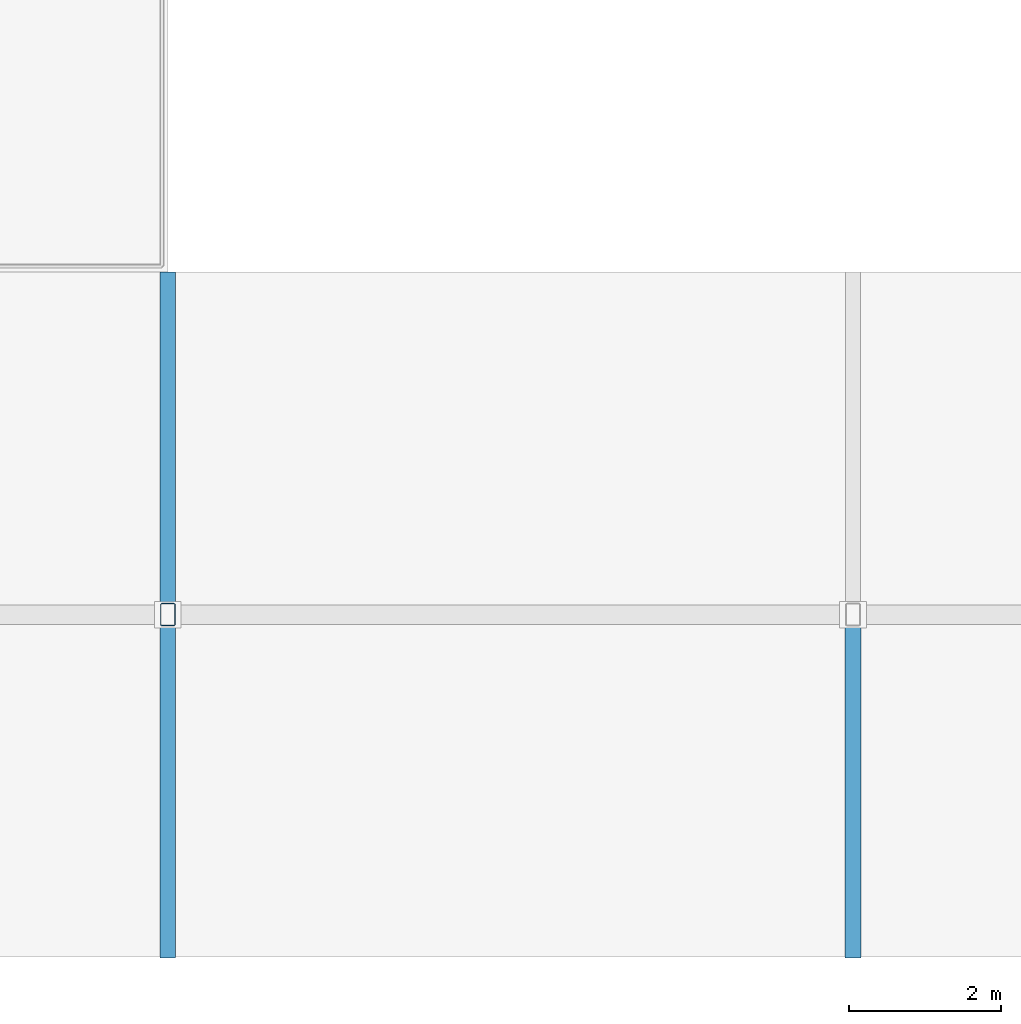
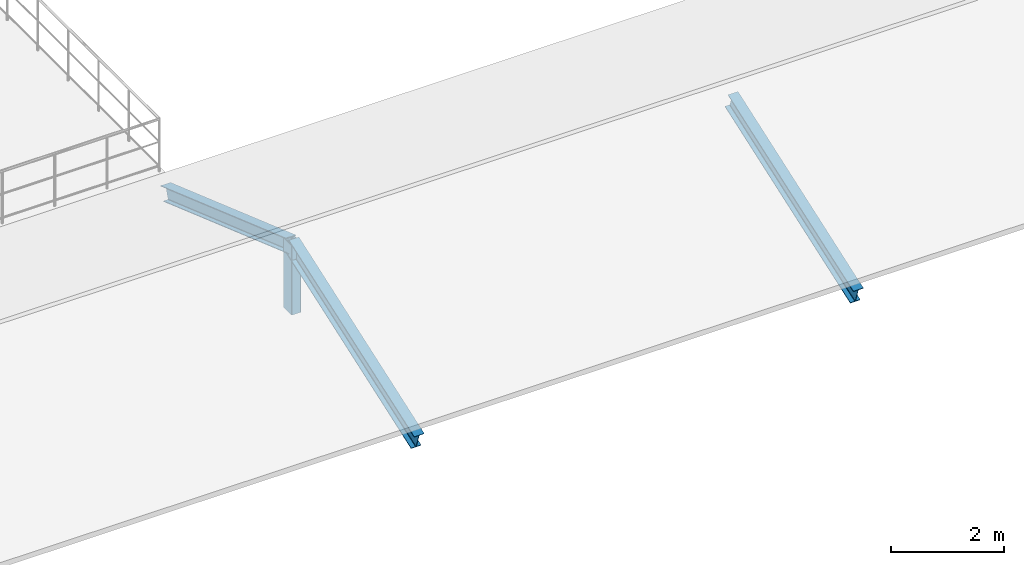
# One storey, part 39 of 110: 4 members.
"""IFC4 building model written with IfcOpenShell, lengths in metres."""

from ifc_helpers import new_model, si_unit, direction, frame, origin, origin_2d, place, context, subcontext, project, spatial, hollow_rectangle, i_section, extrude, material, material_profile, profile_set, type_object, element, save


model = new_model("IFC4")

# Units and contexts
model_context = context("Model", 3, precision=1e-05, world=origin(), true_north=direction((0.0, 1.0)))
body_context = subcontext(model_context, "Body", "Model", "MODEL_VIEW")
ifc_project = project(units=[si_unit("LENGTHUNIT", "METRE"), si_unit("AREAUNIT", "SQUARE_METRE"), si_unit("VOLUMEUNIT", "CUBIC_METRE"), si_unit("PLANEANGLEUNIT", "RADIAN"), si_unit("MASSUNIT", "GRAM", prefix="KILO")], contexts=[model_context])

# Site, building, storey
site_placement = place(None, origin())
site = spatial("IfcSite", under=ifc_project, at=site_placement, CompositionType="ELEMENT")
building_placement = place(site_placement, origin())
building = spatial("IfcBuilding", under=site, at=building_placement, Name="Miravela Opera House", CompositionType="ELEMENT")
storey_placement = place(building_placement, frame((0.0, 0.0, 13.60009765625)))
storey = spatial("IfcBuildingStorey", under=building, at=storey_placement, Name="L03", CompositionType="ELEMENT", Elevation=13.60009765625)

# Members
ifc_material_1 = material(Name="Hollow structural steel ASTM A500 Gr. C", Category="steel")
ifc_material_profile_1 = material_profile(ifc_material_1, hollow_rectangle(XDim=0.199951171875, YDim=0.300048828125, WallThickness=0.011962890625, InnerFilletRadius=0.011962890625, OuterFilletRadius=0.02392578125, at=origin_2d()), Name="HSS300X200X12")
ifc_profile_set_1 = profile_set([ifc_material_profile_1])
member_type_1 = type_object("IfcMemberType", Name="STR-MEM-POST-HSS300X200", PredefinedType="POST", material=ifc_profile_set_1)
member_1_placement = place(storey_placement, frame((117.0, 4.5, -0.25), z_axis=(0.0, 0.0, 1.0), x_axis=(1.0, 0.0, 0.0)))
element("IfcMember", 1, at=member_1_placement, inside=storey, type_object=member_type_1, Name="Roof Ridge Support Post ROOF-V4-SE M3", PredefinedType="POST", context=body_context, shape_type="SweptSolid", body=[
    extrude(hollow_rectangle(XDim=0.199951171875, YDim=0.300048828125, WallThickness=0.011962890625, InnerFilletRadius=0.011962890625, OuterFilletRadius=0.02392578125, at=origin_2d()), origin(), (0.0, 0.0, 1.0), 1.510009765625),
])
ifc_material_2 = material(Name="Structural steel ASTM A992 Gr. 50", Category="steel")
ifc_material_profile_2 = material_profile(ifc_material_2, i_section(OverallWidth=0.2041015625, OverallDepth=0.35009765625, WebThickness=0.008544921875, FlangeThickness=0.01513671875, FilletRadius=0.013916015625, at=origin_2d()), Name="W360X72")
ifc_profile_set_2 = profile_set([ifc_material_profile_2])
member_type_2 = type_object("IfcMemberType", Name="STR-MEM-RAFTER-1", PredefinedType="RAFTER", material=ifc_profile_set_2)
for number, where, z_axis, x_axis, name in (
    (2, (117.0, 0.050048828125, -0.400146484375), (0.0, 0.943687918104, 0.3308369889), (-1.0, 0.0, 0.0), "Pitched Roof Rafter ROOF-V4-SE S3"),
    (3, (126.0, 0.050048828125, -0.400146484375), (0.0, 0.943687918104, 0.3308369889), (-1.0, 0.0, 0.0), "Pitched Roof Rafter ROOF-V4-SE S4"),
):
    element("IfcMember", number, at=place(storey_placement, frame(where, z_axis=z_axis, x_axis=x_axis)), inside=storey, type_object=member_type_2, Name=name, PredefinedType="RAFTER", context=body_context, shape_type="SweptSolid", body=[
        extrude(i_section(OverallWidth=0.2041015625, OverallDepth=0.35009765625, WebThickness=0.008544921875, FlangeThickness=0.01513671875, FilletRadius=0.013916015625, at=origin_2d()), origin(), (0.0, 0.0, 1.0), 4.715576171875),
    ])
ifc_material_profile_3 = material_profile(ifc_material_2, i_section(OverallWidth=0.202880859375, OverallDepth=0.302978515625, WebThickness=0.007568359375, FlangeThickness=0.01318359375, FilletRadius=0.012939453125, at=origin_2d()), Name="W310X60")
ifc_profile_set_3 = profile_set([ifc_material_profile_3])
member_type_3 = type_object("IfcMemberType", Name="STR-MEM-RAFTER-2", PredefinedType="RAFTER", material=ifc_profile_set_3)
member_2_placement = place(storey_placement, frame((117.0, 8.949951171875, -0.400146484375), z_axis=(0.0, -0.943687918104, 0.3308369889), x_axis=(1.0, 0.0, 0.0)))
element("IfcMember", 4, at=member_2_placement, inside=storey, type_object=member_type_3, Name="Pitched Roof Rafter ROOF-V4-SE N3", PredefinedType="RAFTER", context=body_context, shape_type="SweptSolid", body=[
    extrude(i_section(OverallWidth=0.202880859375, OverallDepth=0.302978515625, WebThickness=0.007568359375, FlangeThickness=0.01318359375, FilletRadius=0.012939453125, at=origin_2d()), origin(), (0.0, 0.0, 1.0), 4.715576171875),
])

save(model, "model.ifc")
